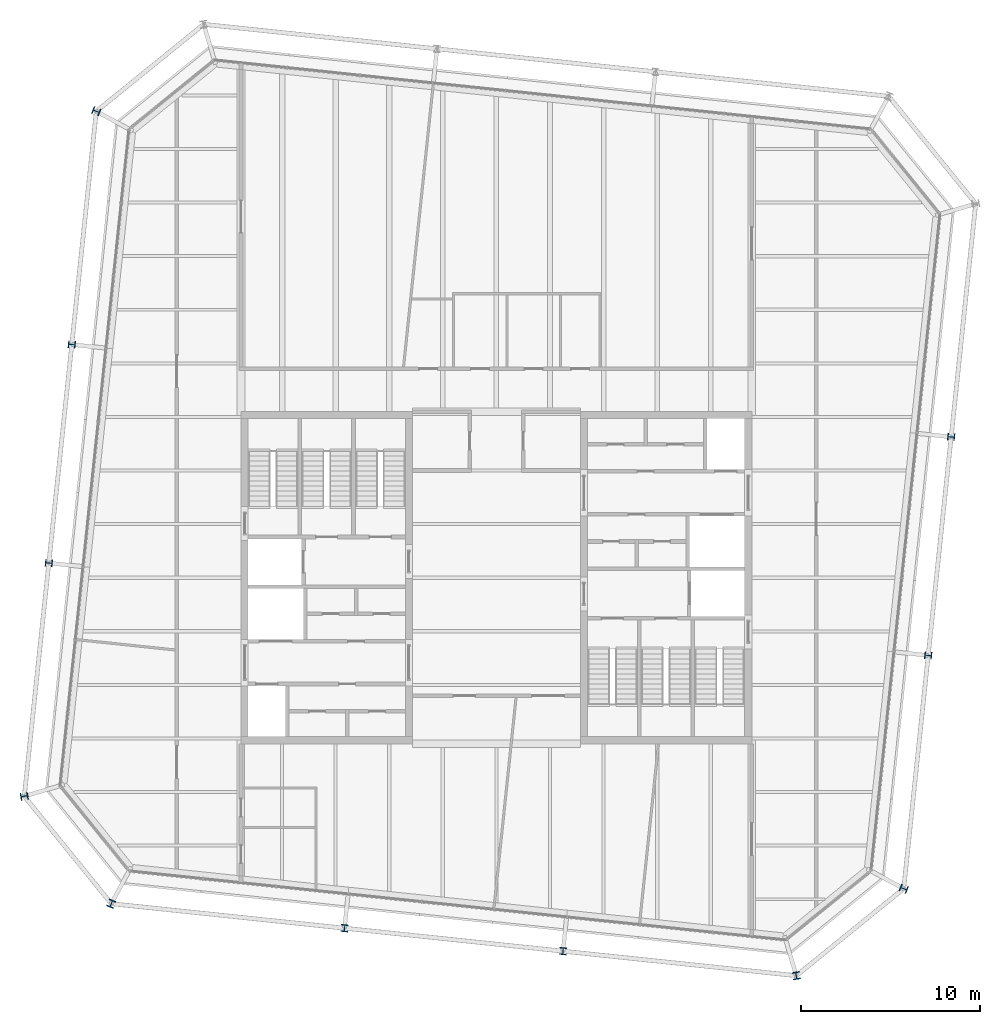
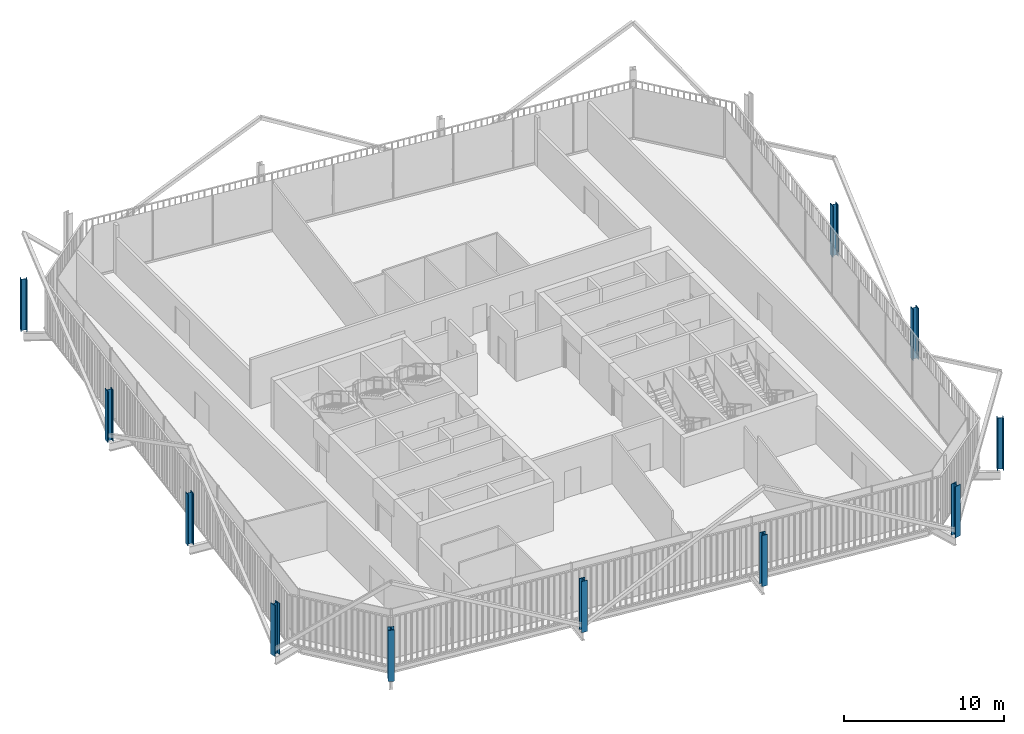
# One storey, part 1 of 21: 11 columns.
"""IFC4 building model written with IfcOpenShell, lengths in metres."""

import ifcopenshell
import ifcopenshell.guid

model = None  # the IFC model being written
_history = None  # IfcOwnerHistory: only IFC2X3 demands one
_inside = {}  # id of a spatial element -> (the spatial element, [elements in it])
_under = {}  # id of a project, library or spatial element -> (it, [spatial elements below it])
_declared = {}  # id of a project -> (the project, [libraries it declares])
_typed = {}  # id of a type object -> (the type object, [elements of that type])
_made_of = {}  # id of a material, layer set ... -> (it, [elements and type objects made of it])


def new_model(schema):
    """Start an empty IFC model of exactly this schema.

    Asked for "IFC4X3", IfcOpenShell would pick the latest addendum, in which some entities
    have other attributes; the version numbers below select the first issue.
    IFC2X3 requires an IfcOwnerHistory on every rooted entity: one is made here for all.
    """
    global model, _history
    if schema == "IFC4X3":
        model = ifcopenshell.file(schema_version=(4, 3, 0, 0))
    else:
        model = ifcopenshell.file(schema=schema)
    _inside.clear()
    _under.clear()
    _declared.clear()
    _typed.clear()
    _made_of.clear()
    _history = None
    if model.schema == "IFC2X3":
        org = make("IfcOrganization", Name="unknown")
        user = make(
            "IfcPersonAndOrganization",
            ThePerson=make("IfcPerson", FamilyName="unknown"),
            TheOrganization=org,
        )
        app = make(
            "IfcApplication",
            ApplicationDeveloper=org,
            Version="unknown",
            ApplicationFullName="unknown",
            ApplicationIdentifier="unknown",
        )
        _history = make(
            "IfcOwnerHistory",
            OwningUser=user,
            OwningApplication=app,
            ChangeAction="ADDED",
            CreationDate=0,
        )
    return model


def make(cls, **values):
    """One entity of the class cls with the attributes given. An attribute that is None is left unset."""
    return model.create_entity(
        cls, **{name: value for name, value in values.items() if value is not None}
    )


def rooted(cls, **values):
    """An entity with a GlobalId (a new one), such as an element, a storey or a relation."""
    return make(cls, GlobalId=ifcopenshell.guid.new(), OwnerHistory=_history, **values)


def si_unit(unit_type, name, prefix=None):
    """IfcSIUnit, for example si_unit("LENGTHUNIT", "METRE", prefix="MILLI")."""
    return make("IfcSIUnit", UnitType=unit_type, Prefix=prefix, Name=name)


def assignment(units):
    """IfcUnitAssignment: the units of a project."""
    return None if units is None else make("IfcUnitAssignment", Units=units)


def point(xyz):
    """IfcCartesianPoint."""
    return None if xyz is None else make("IfcCartesianPoint", Coordinates=xyz)


def direction(xyz):
    """IfcDirection."""
    return None if xyz is None else make("IfcDirection", DirectionRatios=xyz)


def frame(location, z_axis=None, x_axis=None):
    """IfcAxis2Placement3D, a coordinate frame: its origin and axes. An axis left out is left unset."""
    return make(
        "IfcAxis2Placement3D",
        Location=point(location),
        Axis=direction(z_axis),
        RefDirection=direction(x_axis),
    )


def frame_2d(location, x_axis=None):
    """IfcAxis2Placement2D, a coordinate frame in the plane: its origin and x axis."""
    return make(
        "IfcAxis2Placement2D", Location=point(location), RefDirection=direction(x_axis)
    )


def origin():
    """The frame at (0, 0, 0) with its axes left unset."""
    return frame((0.0, 0.0, 0.0))


def origin_2d():
    """The frame at (0, 0) in the plane with its x axis left unset."""
    return frame_2d((0.0, 0.0))


def place(relative_to, where):
    """IfcLocalPlacement: puts the frame where relative to a parent placement (None: the world)."""
    return make(
        "IfcLocalPlacement", PlacementRelTo=relative_to, RelativePlacement=where
    )


def context(
    kind, dimensions, precision=None, world=None, true_north=None, identifier=None
):
    """IfcGeometricRepresentationContext, for example the 3D "Model" context."""
    return make(
        "IfcGeometricRepresentationContext",
        ContextIdentifier=identifier,
        ContextType=kind,
        CoordinateSpaceDimension=dimensions,
        Precision=precision,
        WorldCoordinateSystem=world,
        TrueNorth=true_north,
    )


def subcontext(parent, identifier, kind, view, scale=None):
    """IfcGeometricRepresentationSubContext, for example "Body" below "Model"."""
    return make(
        "IfcGeometricRepresentationSubContext",
        ContextIdentifier=identifier,
        ContextType=kind,
        ParentContext=parent,
        TargetScale=scale,
        TargetView=view,
    )


def project(units=None, contexts=None):
    """IfcProject with its units and contexts."""
    return rooted(
        "IfcProject",
        Name="project",
        RepresentationContexts=contexts,
        UnitsInContext=assignment(units),
    )


def spatial(cls, under=None, at=None, **own):
    """A site, building, storey or space (cls), placed at a placement, below another one or the project."""
    s = rooted(cls, ObjectPlacement=at, **own)
    if under is not None:
        _under.setdefault(under.id(), (under, []))[1].append(s)
    return s


def profile(cls, at=None, kind="AREA", **sizes):
    """A parametric profile (cls). Its sizes go by their IFC names, for example OverallWidth=200.0."""
    return make(cls, ProfileType=kind, Position=at, **sizes)


def i_section(**sizes):
    """IfcIShapeProfileDef."""
    return profile("IfcIShapeProfileDef", **sizes)


def extrude(swept, where, along, depth):
    """IfcExtrudedAreaSolid: the profile swept, set in the frame where, extruded along a direction by depth."""
    return make(
        "IfcExtrudedAreaSolid",
        SweptArea=swept,
        Position=where,
        ExtrudedDirection=direction(along),
        Depth=depth,
    )


def shape(context_of_items, identifier, shape_type, items):
    """IfcShapeRepresentation: the items that make up one representation, for example the "Body"."""
    return make(
        "IfcShapeRepresentation",
        ContextOfItems=context_of_items,
        RepresentationIdentifier=identifier,
        RepresentationType=shape_type,
        Items=items,
    )


def material(Name=None, Category=None):
    """IfcMaterial."""
    return make("IfcMaterial", Name=Name, Category=Category)


def material_profile(
    of_material, cross_section, Name=None, Category=None, Priority=None
):
    """IfcMaterialProfile: a cross section and its material."""
    return make(
        "IfcMaterialProfile",
        Name=Name,
        Material=of_material,
        Profile=cross_section,
        Priority=Priority,
        Category=Category,
    )


def profile_set(profiles, Name=None, composite=None):
    """IfcMaterialProfileSet."""
    return make(
        "IfcMaterialProfileSet",
        Name=Name,
        MaterialProfiles=profiles,
        CompositeProfile=composite,
    )


def made_of(thing, what):
    """Note that an element or type object is made of a material, layer set ...; save() writes the relation."""
    if what is not None:
        _made_of.setdefault(what.id(), (what, []))[1].append(thing)
    return thing


def type_object(cls, material=None, **own):
    """A type object (cls), such as IfcWallType, which elements share."""
    return made_of(rooted(cls, **own), material)


def element(
    cls,
    number,
    at=None,
    inside=None,
    cuts=None,
    type_object=None,
    material=None,
    context=None,
    identifier="Body",
    shape_type=None,
    held_by="IfcProductDefinitionShape",
    body=None,
    shapes=None,
    **own,
):
    """One element of the class cls, such as IfcWall. Its Tag is "e" and its number.

    at: its placement. inside: the storey or other place that contains it. cuts: it is an
    opening in that element (IfcRelVoidsElement). A single representation is given by context,
    identifier, shape_type and body (its items); several are given by shapes. held_by: the class
    of the entity that holds the representations. save() writes the other relations.
    """
    e = rooted(cls, Tag="e%d" % number, ObjectPlacement=at, **own)
    if body is not None:
        shapes = [shape(context, identifier, shape_type, body)]
    if shapes is not None:
        e.Representation = make(held_by, Representations=shapes)
    if inside is not None:
        _inside.setdefault(inside.id(), (inside, []))[1].append(e)
    if cuts is not None:
        rooted(
            "IfcRelVoidsElement", RelatingBuildingElement=cuts, RelatedOpeningElement=e
        )
    if type_object is not None:
        _typed.setdefault(type_object.id(), (type_object, []))[1].append(e)
    return made_of(e, material)


def aggregate(whole, parts):
    """IfcRelAggregates: a whole, such as a stair, and the parts it consists of."""
    return rooted("IfcRelAggregates", RelatingObject=whole, RelatedObjects=parts)


def save(model, path):
    """Write the relations noted so far, then the file.

    IfcRelAggregates (storeys below a building ...), IfcRelContainedInSpatialStructure (elements
    in a storey), IfcRelDefinesByType, IfcRelAssociatesMaterial and IfcRelDeclares: one each for
    every whole, place, type object, material and project.
    """
    for whole, parts in _under.values():
        aggregate(whole, parts)
    for where, things in _inside.values():
        rooted(
            "IfcRelContainedInSpatialStructure",
            RelatedElements=things,
            RelatingStructure=where,
        )
    for kind, things in _typed.values():
        rooted("IfcRelDefinesByType", RelatedObjects=things, RelatingType=kind)
    for what, things in _made_of.values():
        rooted("IfcRelAssociatesMaterial", RelatedObjects=things, RelatingMaterial=what)
    for by, libraries in _declared.values():
        rooted("IfcRelDeclares", RelatingContext=by, RelatedDefinitions=libraries)
    model.write(path)


model = new_model("IFC4")

# Units and contexts
model_context = context("Model", 3, precision=1e-05, world=origin(), true_north=direction((0.0, 1.0)))
body_context = subcontext(model_context, "Body", "Model", "MODEL_VIEW")
ifc_project = project(units=[si_unit("LENGTHUNIT", "METRE"), si_unit("AREAUNIT", "SQUARE_METRE"), si_unit("VOLUMEUNIT", "CUBIC_METRE"), si_unit("PLANEANGLEUNIT", "RADIAN"), si_unit("MASSUNIT", "GRAM", prefix="KILO")], contexts=[model_context])

# Site, building, storey
site_placement = place(None, origin())
site = spatial("IfcSite", under=ifc_project, at=site_placement, CompositionType="ELEMENT")
building_placement = place(site_placement, origin())
building = spatial("IfcBuilding", under=site, at=building_placement, Name="Millrace Tower", CompositionType="ELEMENT")
storey_placement = place(building_placement, frame((0.0, 0.0, 326.5)))
storey = spatial("IfcBuildingStorey", under=building, at=storey_placement, Name="L75", CompositionType="ELEMENT", Elevation=326.5)

# Columns
ifc_material_1 = material(Name="Steel ASTM A913 Grade 65", Category="steel")
ifc_material_profile_1 = material_profile(ifc_material_1, i_section(OverallWidth=0.4013671875, OverallDepth=0.398681640625, WebThickness=0.02490234375, FlangeThickness=0.03955078125, FilletRadius=0.01513671875, at=origin_2d()))
ifc_profile_set_1 = profile_set([ifc_material_profile_1], Name="Steel ASTM A913 Grade 65")
column_type_1 = type_object("IfcColumnType", Name="Exoskeleton column W14x211", PredefinedType="COLUMN", material=ifc_profile_set_1)
for number, where, z_axis, x_axis, name in (
    (1, (-8.50341796875, -19.62158203125, 0.0), (0.0, 0.0, 1.0), (0.994521897246, -0.104528445407, 0.0), "COL-E-L75-X03"),
    (2, (3.729248046875, -20.9072265625, 0.0), (0.0, 0.0, 1.0), (0.994521897246, -0.104528445407, 0.0), "COL-E-L75-X04"),
    (3, (24.171630859375, -4.353271484375, 0.0), (0.0, 0.0, 1.0), (0.104528445407, 0.994521897246, 0.0), "COL-E-L75-X07"),
    (4, (25.457275390625, 7.879150390625, 0.0), (0.0, 0.0, 1.0), (0.104528445407, 0.994521897246, 0.0), "COL-E-L75-X08"),
    (5, (-23.771484375, 13.053466796875, 0.0), (0.0, 0.0, 1.0), (-0.104528445407, -0.994521897246, 0.0), "COL-E-L75-X15"),
    (6, (-25.057373046875, 0.82080078125, 0.0), (0.0, 0.0, 1.0), (-0.104528445407, -0.994521897246, 0.0), "COL-E-L75-X16"),
):
    element("IfcColumn", number, at=place(storey_placement, frame(where, z_axis=z_axis, x_axis=x_axis)), inside=storey, type_object=column_type_1, Name=name, PredefinedType="COLUMN", context=body_context, shape_type="SweptSolid", body=[
        extrude(i_section(OverallWidth=0.4013671875, OverallDepth=0.398681640625, WebThickness=0.02490234375, FlangeThickness=0.03955078125, FilletRadius=0.01513671875, at=origin_2d()), origin(), (0.0, 0.0, 1.0), 3.89990234375),
    ])
ifc_material_2 = material(Name="Steel ASTM A913 Grade 65", Category="steel")
ifc_material_profile_2 = material_profile(ifc_material_2, i_section(OverallWidth=0.406494140625, OverallDepth=0.41650390625, WebThickness=0.030029296875, FlangeThickness=0.048095703125, FilletRadius=0.01513671875, at=origin_2d()))
ifc_profile_set_2 = profile_set([ifc_material_profile_2], Name="Steel ASTM A913 Grade 65")
column_type_2 = type_object("IfcColumnType", Name="Exoskeleton column W14x257", PredefinedType="COLUMN", material=ifc_profile_set_2)
for number, where, z_axis, x_axis, name in (
    (7, (-26.429443359375, -12.23583984375, 0.0), (0.0, 0.0, 1.0), (0.18038747256, -0.983595628164, 0.0), "COL-E-L75-X01"),
    (8, (-21.559814453125, -18.249267578125, 0.0), (0.0, 0.0, 1.0), (0.92459700658, -0.380946683176, 0.0), "COL-E-L75-X02"),
    (9, (16.78564453125, -22.279541015625, 0.0), (0.0, 0.0, 1.0), (0.983595628164, 0.18038747256, 0.0), "COL-E-L75-X05"),
    (10, (22.79931640625, -17.409912109375, 0.0), (0.0, 0.0, 1.0), (0.380946683176, 0.92459700658, 0.0), "COL-E-L75-X06"),
    (11, (-22.399169921875, 26.10986328125, 0.0), (0.0, 0.0, 1.0), (-0.380946683176, -0.92459700658, 0.0), "COL-E-L75-X14"),
):
    element("IfcColumn", number, at=place(storey_placement, frame(where, z_axis=z_axis, x_axis=x_axis)), inside=storey, type_object=column_type_2, Name=name, PredefinedType="COLUMN", context=body_context, shape_type="SweptSolid", body=[
        extrude(i_section(OverallWidth=0.406494140625, OverallDepth=0.41650390625, WebThickness=0.030029296875, FlangeThickness=0.048095703125, FilletRadius=0.01513671875, at=origin_2d()), origin(), (0.0, 0.0, 1.0), 3.89990234375),
    ])

save(model, "model.ifc")
